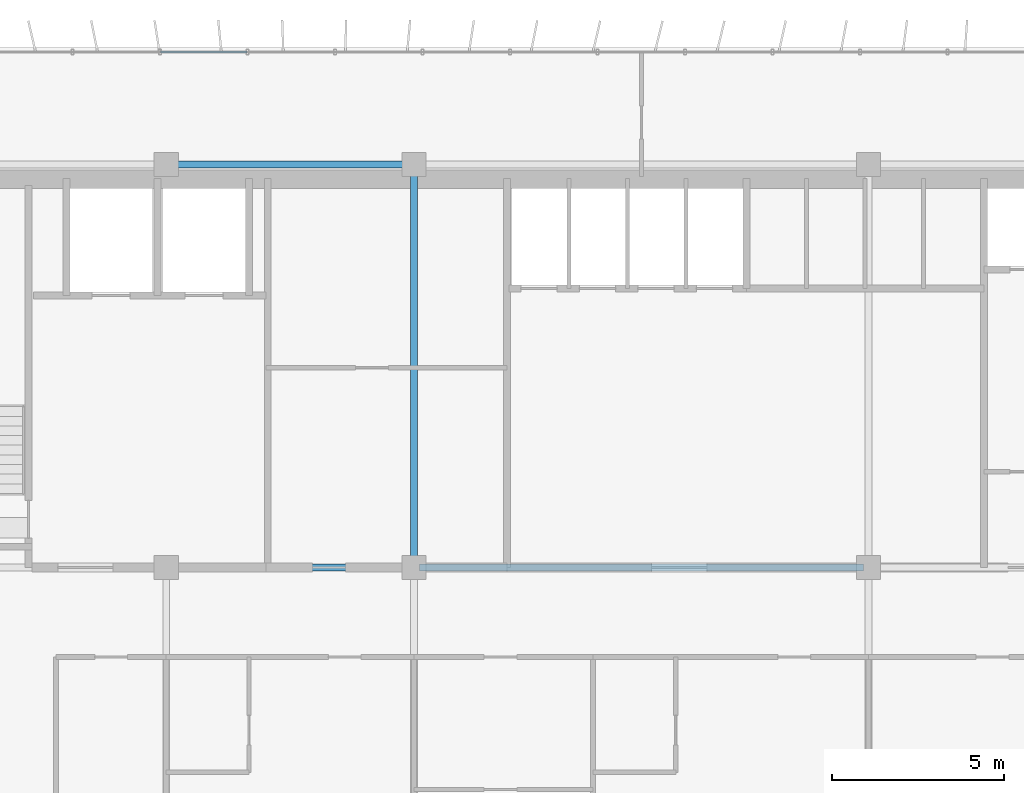
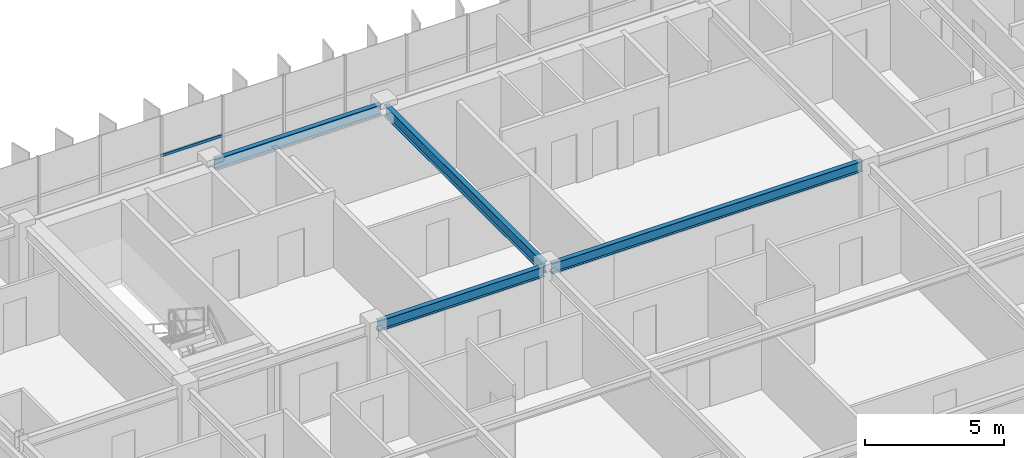
# One storey, part 7 of 23: 4 beams, 1 member, 1 element without a shape of its own.
"""IFC4 building model written with IfcOpenShell, lengths in metres."""

from ifc_helpers import new_model, si_unit, direction, frame, origin, origin_2d, place, context, subcontext, project, spatial, hollow_rectangle, i_section, extrude, source, transform, mapped, material, material_profile, profile_set, type_object, element, aggregate, save


model = new_model("IFC4")

# Units and contexts
model_context = context("Model", 3, precision=1e-05, world=origin(), true_north=direction((0.0, 1.0)))
body_context = subcontext(model_context, "Body", "Model", "MODEL_VIEW")
ifc_project = project(units=[si_unit("LENGTHUNIT", "METRE"), si_unit("AREAUNIT", "SQUARE_METRE"), si_unit("VOLUMEUNIT", "CUBIC_METRE"), si_unit("PLANEANGLEUNIT", "RADIAN"), si_unit("MASSUNIT", "GRAM", prefix="KILO")], contexts=[model_context])

# Site, building, storey
site_placement = place(None, origin())
site = spatial("IfcSite", under=ifc_project, at=site_placement, CompositionType="ELEMENT")
building_placement = place(site_placement, origin())
building = spatial("IfcBuilding", under=site, at=building_placement, Name="Trelvane Seafront Commons", CompositionType="ELEMENT")
storey_placement = place(building_placement, frame((0.0, 0.0, 208.5)))
storey = spatial("IfcBuildingStorey", under=building, at=storey_placement, Name="L54", CompositionType="ELEMENT", Elevation=208.5)

# Beams
ifc_material_1 = material(Name="Steel SM355 (S355)", Category="steel")
ifc_material_profile_1 = material_profile(ifc_material_1, i_section(OverallWidth=0.199951171875, OverallDepth=0.5, WebThickness=0.010009765625, FlangeThickness=0.01611328125, at=origin_2d()), Name="H-500x200x10x16")
ifc_profile_set_1 = profile_set([ifc_material_profile_1], Name="Steel SM355 (S355)")
beam_type_1 = type_object("IfcBeamType", Name="STR-BM-H500", PredefinedType="BEAM", material=ifc_profile_set_1)
shared_shape_1 = source(origin(), body_context, "Body", "SweptSolid", [
    extrude(i_section(OverallWidth=0.199951171875, OverallDepth=0.5, WebThickness=0.010009765625, FlangeThickness=0.01611328125, at=origin_2d()), origin(), (0.0, 0.0, 1.0), 11.39990234375),
])
beam_1_placement = place(storey_placement, frame((30.60009765625, 33.550048828125, 3.110107421875), z_axis=(0.0, 1.0, 0.0), x_axis=(-1.0, 0.0, 0.0)))
element("IfcBeam", 1, at=beam_1_placement, inside=storey, type_object=beam_type_1, Name="L54 Primary Girder G-40", PredefinedType="BEAM", context=body_context, shape_type="MappedRepresentation", body=[
    mapped(shared_shape_1, transform((0.0, 0.0, 0.0), x_axis=(1.0, 0.0, 0.0), y_axis=(0.0, 1.0, 0.0), z_axis=(0.0, 0.0, 1.0), scale=1.0)),
])
ifc_material_profile_2 = material_profile(ifc_material_1, i_section(OverallWidth=0.199951171875, OverallDepth=0.449951171875, WebThickness=0.009033203125, FlangeThickness=0.013916015625, at=origin_2d()), Name="H-450x200x9x14")
ifc_profile_set_2 = profile_set([ifc_material_profile_2], Name="Steel SM355 (S355)")
beam_type_2 = type_object("IfcBeamType", Name="STR-SPD-H450", PredefinedType="SPANDREL", material=ifc_profile_set_2)
shared_shape_2 = source(origin(), body_context, "Body", "SweptSolid", [
    extrude(i_section(OverallWidth=0.199951171875, OverallDepth=0.449951171875, WebThickness=0.009033203125, FlangeThickness=0.013916015625, at=origin_2d()), origin(), (0.0, 0.0, 1.0), 6.89990234375),
])
for number, where, z_axis, x_axis, name in (
    (2, (23.550048828125, 33.39990234375, 3.135009765625), (1.0, 0.0, 0.0), (0.0, 1.0, 0.0), "L54 Primary Girder G-17"),
    (3, (23.550048828125, 45.10009765625, 3.135009765625), (1.0, 0.0, 0.0), (0.0, 1.0, 0.0), "L54 Primary Girder G-24"),
):
    element("IfcBeam", number, at=place(storey_placement, frame(where, z_axis=z_axis, x_axis=x_axis)), inside=storey, type_object=beam_type_2, Name=name, PredefinedType="SPANDREL", context=body_context, shape_type="MappedRepresentation", body=[
        mapped(shared_shape_2, transform((0.0, 0.0, 0.0), x_axis=(1.0, 0.0, 0.0), y_axis=(0.0, 1.0, 0.0), z_axis=(0.0, 0.0, 1.0), scale=1.0)),
    ])
shared_shape_3 = source(origin(), body_context, "Body", "SweptSolid", [
    extrude(i_section(OverallWidth=0.199951171875, OverallDepth=0.449951171875, WebThickness=0.009033203125, FlangeThickness=0.013916015625, at=origin_2d()), origin(), (0.0, 0.0, 1.0), 12.89990234375),
])
beam_2_placement = place(storey_placement, frame((30.75, 33.39990234375, 3.135009765625), z_axis=(1.0, 0.0, 0.0), x_axis=(0.0, 1.0, 0.0)))
element("IfcBeam", 4, at=beam_2_placement, inside=storey, type_object=beam_type_2, Name="L54 Primary Girder G-18", PredefinedType="SPANDREL", context=body_context, shape_type="MappedRepresentation", body=[
    mapped(shared_shape_3, transform((0.0, 0.0, 0.0), x_axis=(1.0, 0.0, 0.0), y_axis=(0.0, 1.0, 0.0), z_axis=(0.0, 0.0, 1.0), scale=1.0)),
])

# Curtain wall, member
ifc_material_2 = material(Name="Anodised pale-silver aluminium", Category="aluminium")
curtain_wall_type = type_object("IfcCurtainWallType", Name="ARCH-CW5-UPTOWER", PredefinedType="NOTDEFINED", material=ifc_material_2)
curtain_wall_placement = place(storey_placement, origin())
curtain_wall = element("IfcCurtainWall", 5, at=curtain_wall_placement, inside=storey, type_object=curtain_wall_type, Name="CW-L54-0097", PredefinedType="NOTDEFINED")
ifc_material_profile_3 = material_profile(ifc_material_2, hollow_rectangle(XDim=0.070068359375, YDim=0.1201171875, WallThickness=0.00390625, at=origin_2d()), Name="TRAN-70x120x4")
ifc_profile_set_3 = profile_set([ifc_material_profile_3], Name="Anodised pale-silver aluminium")
member_type = type_object("IfcMemberType", Name="ARCH-CW-TRAN-120", PredefinedType="USERDEFINED", material=ifc_profile_set_3)
shared_shape_4 = source(origin(), body_context, "Body", "SweptSolid", [
    extrude(hollow_rectangle(XDim=0.070068359375, YDim=0.1201171875, WallThickness=0.00390625, at=origin_2d()), origin(), (0.0, 0.0, 1.0), 2.51708984375),
])
member_placement = place(storey_placement, frame((23.235595703125, 48.3701171875, 1.613037109375), z_axis=(1.0, 0.0, 0.0), x_axis=(0.0, 1.0, 0.0)))
member = element("IfcMember", 6, at=member_placement, type_object=member_type, Name="CW-L54-0097-T03", ObjectType="TRANSOM", PredefinedType="USERDEFINED", context=body_context, shape_type="MappedRepresentation", body=[
    mapped(shared_shape_4, transform((0.0, 0.0, 0.0), x_axis=(1.0, 0.0, 0.0), y_axis=(0.0, 1.0, 0.0), z_axis=(0.0, 0.0, 1.0), scale=1.0)),
])
aggregate(curtain_wall, [member])

save(model, "model.ifc")
